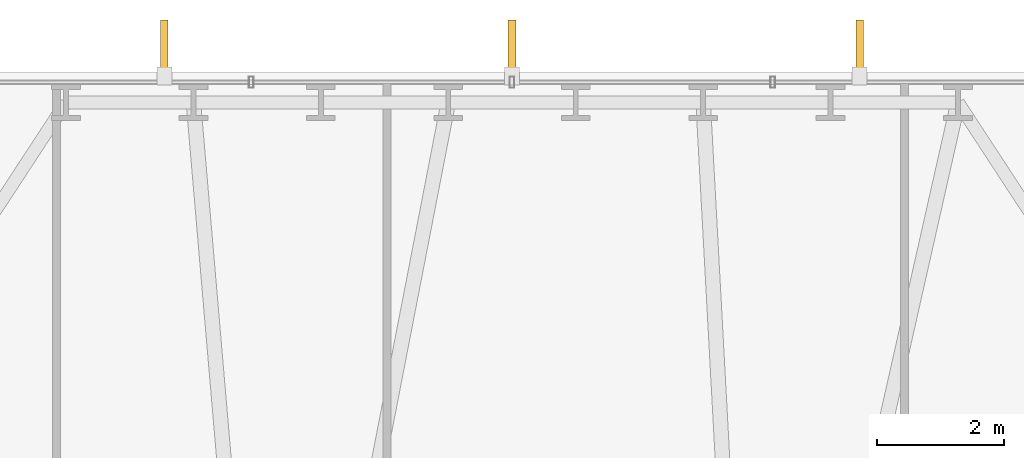
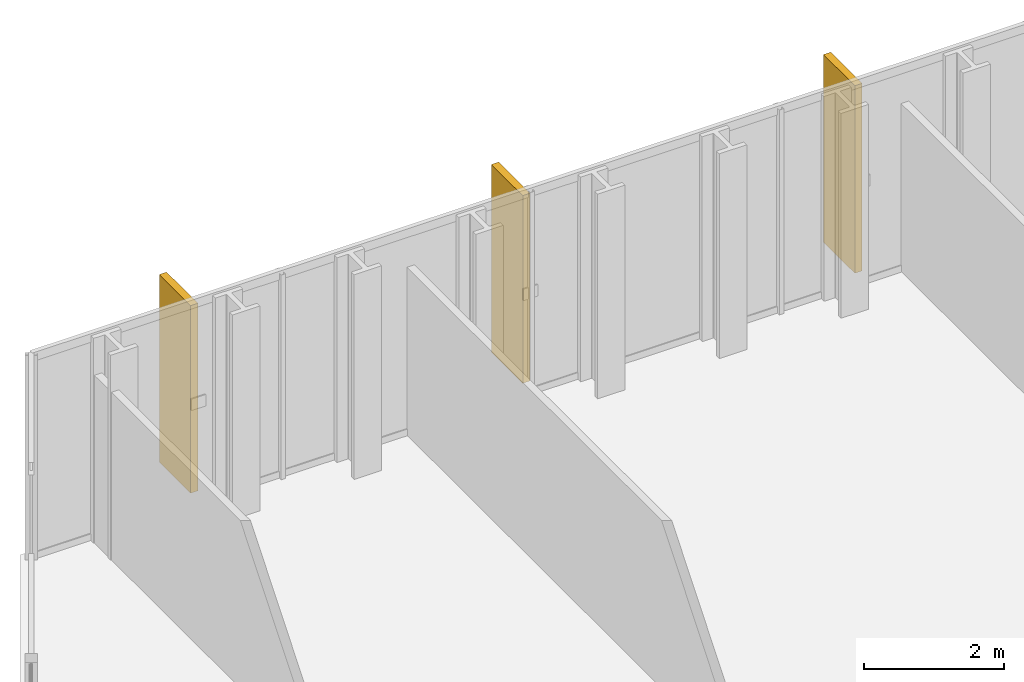
# One storey, part 33 of 33: 3 shading devices.
"""IFC4 building model written with IfcOpenShell, lengths in metres."""

from ifc_helpers import new_model, si_unit, direction, frame, origin, origin_2d, place, context, subcontext, project, spatial, rectangle, extrude, material, type_object, element, save


model = new_model("IFC4")

# Units and contexts
model_context = context("Model", 3, precision=1e-05, world=origin(), true_north=direction((0.0, 1.0)))
body_context = subcontext(model_context, "Body", "Model", "MODEL_VIEW")
ifc_project = project(units=[si_unit("LENGTHUNIT", "METRE"), si_unit("AREAUNIT", "SQUARE_METRE"), si_unit("VOLUMEUNIT", "CUBIC_METRE"), si_unit("PLANEANGLEUNIT", "RADIAN"), si_unit("MASSUNIT", "GRAM", prefix="KILO")], contexts=[model_context])

# Site, building, storey
site_placement = place(None, origin())
site = spatial("IfcSite", under=ifc_project, at=site_placement, CompositionType="ELEMENT")
building_placement = place(site_placement, origin())
building = spatial("IfcBuilding", under=site, at=building_placement, Name="Ndaravel Arena Tower", CompositionType="ELEMENT")
storey_placement = place(building_placement, frame((0.0, 0.0, 36.0)))
storey = spatial("IfcBuildingStorey", under=building, at=storey_placement, Name="L06", CompositionType="ELEMENT", Elevation=36.0)

# Shading devices
ifc_material = material(Name="Masonry", Category="masonry")
shading_device_type = type_object("IfcShadingDeviceType", Name="SHD-MAZERAS-FIN", PredefinedType="SHUTTER", material=ifc_material)
for number, where, z_axis, x_axis, name in (
    (1, (47.492431640625, 46.444091796875, 0.14990234375), (0.0, 0.0, 1.0), (0.0, 1.0, 0.0), "L06 Mazeras Stone Solar Fin E4.1"),
    (2, (42.0, 46.444091796875, 0.14990234375), (0.0, 0.0, 1.0), (0.0, 1.0, 0.0), "L06 Mazeras Stone Solar Fin E4.2"),
    (3, (36.507568359375, 46.444091796875, 0.14990234375), (0.0, 0.0, 1.0), (0.0, 1.0, 0.0), "L06 Mazeras Stone Solar Fin E4.3"),
):
    element("IfcShadingDevice", number, at=place(storey_placement, frame(where, z_axis=z_axis, x_axis=x_axis)), inside=storey, type_object=shading_device_type, Name=name, PredefinedType="SHUTTER", context=body_context, shape_type="SweptSolid", body=[
        extrude(rectangle(XDim=0.89990234375, YDim=0.1201171875, at=origin_2d()), origin(), (0.0, 0.0, 1.0), 3.280029296875),
    ])

save(model, "model.ifc")
